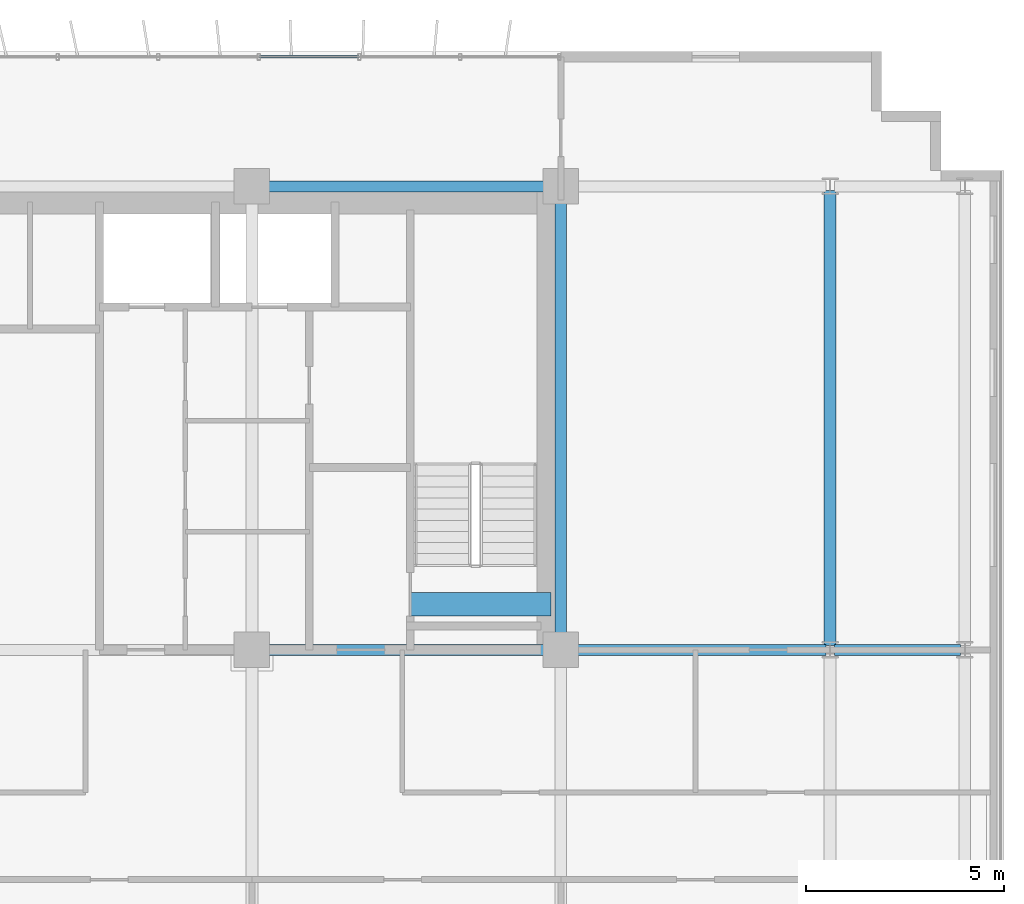
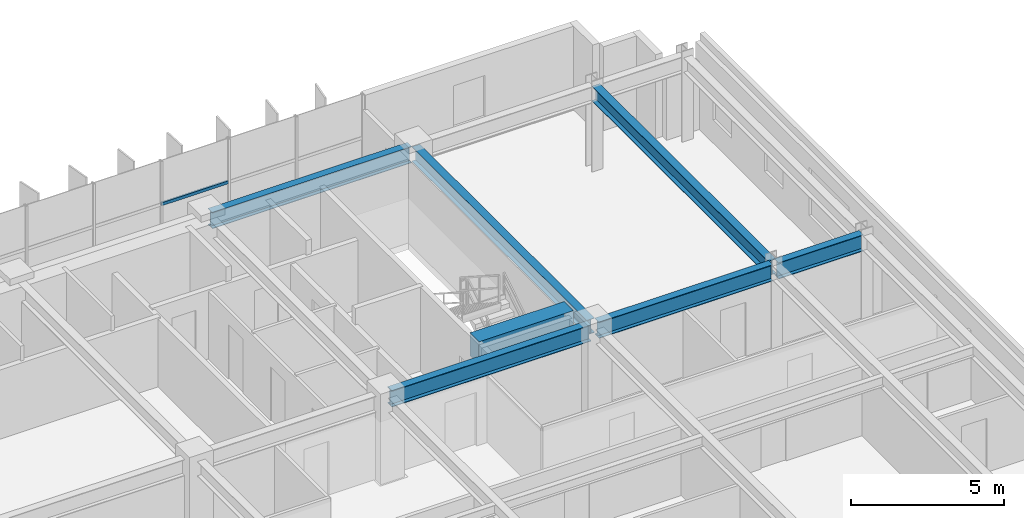
# One storey, part 11 of 21: 7 beams, 1 member, 1 element without a shape of its own.
"""IFC4 building model written with IfcOpenShell, lengths in metres."""

from ifc_helpers import new_model, si_unit, direction, frame, origin, origin_2d, place, context, subcontext, project, spatial, rectangle, hollow_rectangle, i_section, extrude, source, transform, mapped, material, material_profile, profile_set, type_object, element, aggregate, save


model = new_model("IFC4")

# Units and contexts
model_context = context("Model", 3, precision=1e-05, world=origin(), true_north=direction((0.0, 1.0)))
body_context = subcontext(model_context, "Body", "Model", "MODEL_VIEW")
ifc_project = project(units=[si_unit("LENGTHUNIT", "METRE"), si_unit("AREAUNIT", "SQUARE_METRE"), si_unit("VOLUMEUNIT", "CUBIC_METRE"), si_unit("PLANEANGLEUNIT", "RADIAN"), si_unit("MASSUNIT", "GRAM", prefix="KILO")], contexts=[model_context])

# Site, building, storey
site_placement = place(None, origin())
site = spatial("IfcSite", under=ifc_project, at=site_placement, CompositionType="ELEMENT")
building_placement = place(site_placement, origin())
building = spatial("IfcBuilding", under=site, at=building_placement, Name="Trelvane Seafront Commons", CompositionType="ELEMENT")
storey_placement = place(building_placement, frame((0.0, 0.0, 34.300048828125)))
storey = spatial("IfcBuildingStorey", under=building, at=storey_placement, Name="L08", CompositionType="ELEMENT", Elevation=34.300048828125)

# Beams
ifc_material_1 = material(Name="Concrete C60/75", Category="concrete")
ifc_material_profile_1 = material_profile(ifc_material_1, rectangle(XDim=0.60009765625, YDim=0.89990234375, at=origin_2d()), Name="RC-600x900")
ifc_profile_set_1 = profile_set([ifc_material_profile_1], Name="Concrete C60/75")
beam_type_1 = type_object("IfcBeamType", Name="STR-LNT-RC600x900", PredefinedType="LINTEL", material=ifc_profile_set_1)
shared_shape_1 = source(origin(), body_context, "Body", "SweptSolid", [
    extrude(rectangle(XDim=0.60009765625, YDim=0.89990234375, at=origin_2d()), origin(), (0.0, 0.0, 1.0), 3.550048828125),
])
beam_1_placement = place(storey_placement, frame((55.0, 34.550048828125, 2.889892578125), z_axis=(1.0, 0.0, 0.0), x_axis=(0.0, 1.0, 0.0)))
element("IfcBeam", 1, at=beam_1_placement, inside=storey, type_object=beam_type_1, Name="L08 Core Coupling Lintel Beam CB-86", PredefinedType="LINTEL", context=body_context, shape_type="MappedRepresentation", body=[
    mapped(shared_shape_1, transform((0.0, 0.0, 0.0), x_axis=(1.0, 0.0, 0.0), y_axis=(0.0, 1.0, 0.0), z_axis=(0.0, 0.0, 1.0), scale=1.0)),
])
ifc_material_2 = material(Name="Steel SM355 (S355)", Category="steel")
ifc_material_profile_2 = material_profile(ifc_material_2, i_section(OverallWidth=0.280029296875, OverallDepth=0.64990234375, WebThickness=0.012939453125, FlangeThickness=0.02197265625, at=origin_2d()), Name="H-650x280x13x22")
ifc_profile_set_2 = profile_set([ifc_material_profile_2], Name="Steel SM355 (S355)")
beam_type_2 = type_object("IfcBeamType", Name="STR-BM-H650", PredefinedType="BEAM", material=ifc_profile_set_2)
shared_shape_2 = source(origin(), body_context, "Body", "SweptSolid", [
    extrude(i_section(OverallWidth=0.280029296875, OverallDepth=0.64990234375, WebThickness=0.012939453125, FlangeThickness=0.02197265625, at=origin_2d()), origin(), (0.0, 0.0, 1.0), 3.18994140625),
])
beam_2_placement = place(storey_placement, frame((65.705078125, 33.39990234375, 3.014892578125), z_axis=(1.0, 0.0, 0.0), x_axis=(0.0, 1.0, 0.0)))
element("IfcBeam", 2, at=beam_2_placement, inside=storey, type_object=beam_type_2, Name="L08 Primary Girder G-27", PredefinedType="BEAM", context=body_context, shape_type="MappedRepresentation", body=[
    mapped(shared_shape_2, transform((0.0, 0.0, 0.0), x_axis=(1.0, 0.0, 0.0), y_axis=(0.0, 1.0, 0.0), z_axis=(0.0, 0.0, 1.0), scale=1.0)),
])
shared_shape_3 = source(origin(), body_context, "Body", "SweptSolid", [
    extrude(i_section(OverallWidth=0.280029296875, OverallDepth=0.64990234375, WebThickness=0.012939453125, FlangeThickness=0.02197265625, at=origin_2d()), origin(), (0.0, 0.0, 1.0), 6.545166015625),
])
beam_3_placement = place(storey_placement, frame((58.949951171875, 33.39990234375, 3.014892578125), z_axis=(1.0, 0.0, 0.0), x_axis=(0.0, 1.0, 0.0)))
element("IfcBeam", 3, at=beam_3_placement, inside=storey, type_object=beam_type_2, Name="L08 Primary Girder G-26", PredefinedType="BEAM", context=body_context, shape_type="MappedRepresentation", body=[
    mapped(shared_shape_3, transform((0.0, 0.0, 0.0), x_axis=(1.0, 0.0, 0.0), y_axis=(0.0, 1.0, 0.0), z_axis=(0.0, 0.0, 1.0), scale=1.0)),
])
shared_shape_4 = source(origin(), body_context, "Body", "SweptSolid", [
    extrude(i_section(OverallWidth=0.280029296875, OverallDepth=0.64990234375, WebThickness=0.012939453125, FlangeThickness=0.02197265625, at=origin_2d()), origin(), (0.0, 0.0, 1.0), 7.5),
])
for number, where, z_axis, x_axis, name in (
    (4, (51.14990234375, 33.39990234375, 3.014892578125), (1.0, 0.0, 0.0), (0.0, 1.0, 0.0), "L08 Primary Girder G-25"),
    (5, (51.14990234375, 45.10009765625, 3.014892578125), (1.0, 0.0, 0.0), (0.0, 1.0, 0.0), "L08 Primary Girder G-34"),
):
    element("IfcBeam", number, at=place(storey_placement, frame(where, z_axis=z_axis, x_axis=x_axis)), inside=storey, type_object=beam_type_2, Name=name, PredefinedType="BEAM", context=body_context, shape_type="MappedRepresentation", body=[
        mapped(shared_shape_4, transform((0.0, 0.0, 0.0), x_axis=(1.0, 0.0, 0.0), y_axis=(0.0, 1.0, 0.0), z_axis=(0.0, 0.0, 1.0), scale=1.0)),
    ])
ifc_material_profile_3 = material_profile(ifc_material_2, i_section(OverallWidth=0.300048828125, OverallDepth=0.587890625, WebThickness=0.011962890625, FlangeThickness=0.02001953125, at=origin_2d()), Name="H-588x300x12x20")
ifc_profile_set_3 = profile_set([ifc_material_profile_3], Name="Steel SM355 (S355)")
beam_type_3 = type_object("IfcBeamType", Name="STR-BM-H588", PredefinedType="BEAM", material=ifc_profile_set_3)
shared_shape_5 = source(origin(), body_context, "Body", "SweptSolid", [
    extrude(i_section(OverallWidth=0.300048828125, OverallDepth=0.587890625, WebThickness=0.011962890625, FlangeThickness=0.02001953125, at=origin_2d()), origin(), (0.0, 0.0, 1.0), 11.490234375),
])
beam_4_placement = place(storey_placement, frame((65.60009765625, 33.5048828125, 3.0458984375), z_axis=(0.0, 1.0, 0.0), x_axis=(-1.0, 0.0, 0.0)))
element("IfcBeam", 6, at=beam_4_placement, inside=storey, type_object=beam_type_3, Name="L08 Primary Girder G-63", PredefinedType="BEAM", context=body_context, shape_type="MappedRepresentation", body=[
    mapped(shared_shape_5, transform((0.0, 0.0, 0.0), x_axis=(1.0, 0.0, 0.0), y_axis=(0.0, 1.0, 0.0), z_axis=(0.0, 0.0, 1.0), scale=1.0)),
])
shared_shape_6 = source(origin(), body_context, "Body", "SweptSolid", [
    extrude(i_section(OverallWidth=0.300048828125, OverallDepth=0.587890625, WebThickness=0.011962890625, FlangeThickness=0.02001953125, at=origin_2d()), origin(), (0.0, 0.0, 1.0), 11.39990234375),
])
beam_5_placement = place(storey_placement, frame((58.800048828125, 33.550048828125, 3.0458984375), z_axis=(0.0, 1.0, 0.0), x_axis=(-1.0, 0.0, 0.0)))
element("IfcBeam", 7, at=beam_5_placement, inside=storey, type_object=beam_type_3, Name="L08 Primary Girder G-60", PredefinedType="BEAM", context=body_context, shape_type="MappedRepresentation", body=[
    mapped(shared_shape_6, transform((0.0, 0.0, 0.0), x_axis=(1.0, 0.0, 0.0), y_axis=(0.0, 1.0, 0.0), z_axis=(0.0, 0.0, 1.0), scale=1.0)),
])

# Curtain wall, member
ifc_material_3 = material(Name="Anodised pale-silver aluminium", Category="aluminium")
curtain_wall_type = type_object("IfcCurtainWallType", Name="ARCH-CW2-LOWTOWER", PredefinedType="NOTDEFINED", material=ifc_material_3)
curtain_wall_placement = place(storey_placement, origin())
curtain_wall = element("IfcCurtainWall", 8, at=curtain_wall_placement, inside=storey, type_object=curtain_wall_type, Name="CW-L08-0032", PredefinedType="NOTDEFINED")
ifc_material_profile_4 = material_profile(ifc_material_3, hollow_rectangle(XDim=0.070068359375, YDim=0.1201171875, WallThickness=0.00390625, at=origin_2d()), Name="TRAN-70x120x4")
ifc_profile_set_4 = profile_set([ifc_material_profile_4], Name="Anodised pale-silver aluminium")
member_type = type_object("IfcMemberType", Name="ARCH-CW-TRAN-120", PredefinedType="USERDEFINED", material=ifc_profile_set_4)
shared_shape_7 = source(origin(), body_context, "Body", "SweptSolid", [
    extrude(hollow_rectangle(XDim=0.070068359375, YDim=0.1201171875, WallThickness=0.00390625, at=origin_2d()), origin(), (0.0, 0.0, 1.0), 2.51708984375),
])
member_placement = place(storey_placement, frame((51.1884765625, 48.3701171875, 1.60302734375), z_axis=(1.0, 0.0, 0.0), x_axis=(0.0, 1.0, 0.0)))
member = element("IfcMember", 9, at=member_placement, type_object=member_type, Name="CW-L08-0032-T14", ObjectType="TRANSOM", PredefinedType="USERDEFINED", context=body_context, shape_type="MappedRepresentation", body=[
    mapped(shared_shape_7, transform((0.0, 0.0, 0.0), x_axis=(1.0, 0.0, 0.0), y_axis=(0.0, 1.0, 0.0), z_axis=(0.0, 0.0, 1.0), scale=1.0)),
])
aggregate(curtain_wall, [member])

save(model, "model.ifc")
